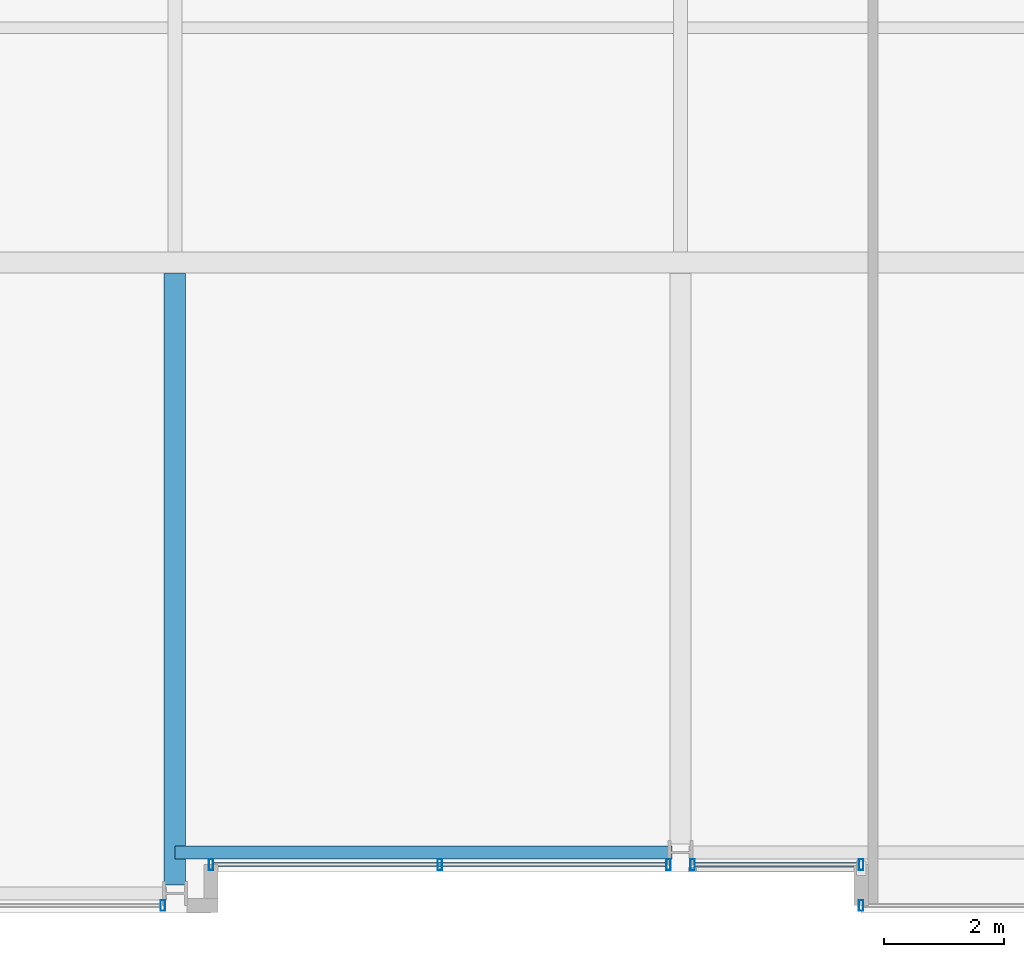
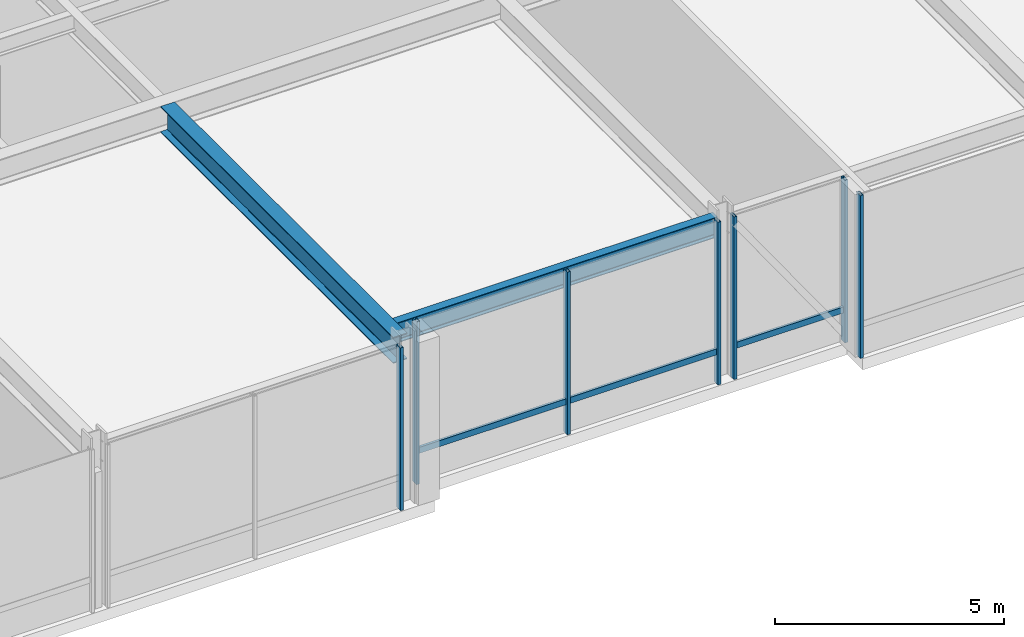
# One storey, part 5 of 32: 9 members, 2 beams, 4 elements without a shape of their own.
"""IFC4 building model written with IfcOpenShell, lengths in metres."""

import ifcopenshell
import ifcopenshell.guid

model = None  # the IFC model being written
_history = None  # IfcOwnerHistory: only IFC2X3 demands one
_inside = {}  # id of a spatial element -> (the spatial element, [elements in it])
_under = {}  # id of a project, library or spatial element -> (it, [spatial elements below it])
_declared = {}  # id of a project -> (the project, [libraries it declares])
_typed = {}  # id of a type object -> (the type object, [elements of that type])
_made_of = {}  # id of a material, layer set ... -> (it, [elements and type objects made of it])


def new_model(schema):
    """Start an empty IFC model of exactly this schema.

    Asked for "IFC4X3", IfcOpenShell would pick the latest addendum, in which some entities
    have other attributes; the version numbers below select the first issue.
    IFC2X3 requires an IfcOwnerHistory on every rooted entity: one is made here for all.
    """
    global model, _history
    if schema == "IFC4X3":
        model = ifcopenshell.file(schema_version=(4, 3, 0, 0))
    else:
        model = ifcopenshell.file(schema=schema)
    _inside.clear()
    _under.clear()
    _declared.clear()
    _typed.clear()
    _made_of.clear()
    _history = None
    if model.schema == "IFC2X3":
        org = make("IfcOrganization", Name="unknown")
        user = make(
            "IfcPersonAndOrganization",
            ThePerson=make("IfcPerson", FamilyName="unknown"),
            TheOrganization=org,
        )
        app = make(
            "IfcApplication",
            ApplicationDeveloper=org,
            Version="unknown",
            ApplicationFullName="unknown",
            ApplicationIdentifier="unknown",
        )
        _history = make(
            "IfcOwnerHistory",
            OwningUser=user,
            OwningApplication=app,
            ChangeAction="ADDED",
            CreationDate=0,
        )
    return model


def make(cls, **values):
    """One entity of the class cls with the attributes given. An attribute that is None is left unset."""
    return model.create_entity(
        cls, **{name: value for name, value in values.items() if value is not None}
    )


def rooted(cls, **values):
    """An entity with a GlobalId (a new one), such as an element, a storey or a relation."""
    return make(cls, GlobalId=ifcopenshell.guid.new(), OwnerHistory=_history, **values)


def si_unit(unit_type, name, prefix=None):
    """IfcSIUnit, for example si_unit("LENGTHUNIT", "METRE", prefix="MILLI")."""
    return make("IfcSIUnit", UnitType=unit_type, Prefix=prefix, Name=name)


def assignment(units):
    """IfcUnitAssignment: the units of a project."""
    return None if units is None else make("IfcUnitAssignment", Units=units)


def point(xyz):
    """IfcCartesianPoint."""
    return None if xyz is None else make("IfcCartesianPoint", Coordinates=xyz)


def direction(xyz):
    """IfcDirection."""
    return None if xyz is None else make("IfcDirection", DirectionRatios=xyz)


def frame(location, z_axis=None, x_axis=None):
    """IfcAxis2Placement3D, a coordinate frame: its origin and axes. An axis left out is left unset."""
    return make(
        "IfcAxis2Placement3D",
        Location=point(location),
        Axis=direction(z_axis),
        RefDirection=direction(x_axis),
    )


def frame_2d(location, x_axis=None):
    """IfcAxis2Placement2D, a coordinate frame in the plane: its origin and x axis."""
    return make(
        "IfcAxis2Placement2D", Location=point(location), RefDirection=direction(x_axis)
    )


def origin():
    """The frame at (0, 0, 0) with its axes left unset."""
    return frame((0.0, 0.0, 0.0))


def origin_2d():
    """The frame at (0, 0) in the plane with its x axis left unset."""
    return frame_2d((0.0, 0.0))


def place(relative_to, where):
    """IfcLocalPlacement: puts the frame where relative to a parent placement (None: the world)."""
    return make(
        "IfcLocalPlacement", PlacementRelTo=relative_to, RelativePlacement=where
    )


def context(
    kind, dimensions, precision=None, world=None, true_north=None, identifier=None
):
    """IfcGeometricRepresentationContext, for example the 3D "Model" context."""
    return make(
        "IfcGeometricRepresentationContext",
        ContextIdentifier=identifier,
        ContextType=kind,
        CoordinateSpaceDimension=dimensions,
        Precision=precision,
        WorldCoordinateSystem=world,
        TrueNorth=true_north,
    )


def subcontext(parent, identifier, kind, view, scale=None):
    """IfcGeometricRepresentationSubContext, for example "Body" below "Model"."""
    return make(
        "IfcGeometricRepresentationSubContext",
        ContextIdentifier=identifier,
        ContextType=kind,
        ParentContext=parent,
        TargetScale=scale,
        TargetView=view,
    )


def project(units=None, contexts=None):
    """IfcProject with its units and contexts."""
    return rooted(
        "IfcProject",
        Name="project",
        RepresentationContexts=contexts,
        UnitsInContext=assignment(units),
    )


def spatial(cls, under=None, at=None, **own):
    """A site, building, storey or space (cls), placed at a placement, below another one or the project."""
    s = rooted(cls, ObjectPlacement=at, **own)
    if under is not None:
        _under.setdefault(under.id(), (under, []))[1].append(s)
    return s


def profile(cls, at=None, kind="AREA", **sizes):
    """A parametric profile (cls). Its sizes go by their IFC names, for example OverallWidth=200.0."""
    return make(cls, ProfileType=kind, Position=at, **sizes)


def hollow_rectangle(**sizes):
    """IfcRectangleHollowProfileDef."""
    return profile("IfcRectangleHollowProfileDef", **sizes)


def i_section(**sizes):
    """IfcIShapeProfileDef."""
    return profile("IfcIShapeProfileDef", **sizes)


def extrude(swept, where, along, depth):
    """IfcExtrudedAreaSolid: the profile swept, set in the frame where, extruded along a direction by depth."""
    return make(
        "IfcExtrudedAreaSolid",
        SweptArea=swept,
        Position=where,
        ExtrudedDirection=direction(along),
        Depth=depth,
    )


def shape(context_of_items, identifier, shape_type, items):
    """IfcShapeRepresentation: the items that make up one representation, for example the "Body"."""
    return make(
        "IfcShapeRepresentation",
        ContextOfItems=context_of_items,
        RepresentationIdentifier=identifier,
        RepresentationType=shape_type,
        Items=items,
    )


def material(Name=None, Category=None):
    """IfcMaterial."""
    return make("IfcMaterial", Name=Name, Category=Category)


def layer(
    of_material, thickness, ventilated=None, Name=None, Category=None, Priority=None
):
    """IfcMaterialLayer: one layer of a wall or slab, of a material (None: an air gap)."""
    return make(
        "IfcMaterialLayer",
        Material=of_material,
        LayerThickness=thickness,
        IsVentilated=ventilated,
        Name=Name,
        Category=Category,
        Priority=Priority,
    )


def layer_set(layers, Name=None):
    """IfcMaterialLayerSet."""
    return make("IfcMaterialLayerSet", MaterialLayers=layers, LayerSetName=Name)


def material_profile(
    of_material, cross_section, Name=None, Category=None, Priority=None
):
    """IfcMaterialProfile: a cross section and its material."""
    return make(
        "IfcMaterialProfile",
        Name=Name,
        Material=of_material,
        Profile=cross_section,
        Priority=Priority,
        Category=Category,
    )


def profile_set(profiles, Name=None, composite=None):
    """IfcMaterialProfileSet."""
    return make(
        "IfcMaterialProfileSet",
        Name=Name,
        MaterialProfiles=profiles,
        CompositeProfile=composite,
    )


def made_of(thing, what):
    """Note that an element or type object is made of a material, layer set ...; save() writes the relation."""
    if what is not None:
        _made_of.setdefault(what.id(), (what, []))[1].append(thing)
    return thing


def type_object(cls, material=None, **own):
    """A type object (cls), such as IfcWallType, which elements share."""
    return made_of(rooted(cls, **own), material)


def element(
    cls,
    number,
    at=None,
    inside=None,
    cuts=None,
    type_object=None,
    material=None,
    context=None,
    identifier="Body",
    shape_type=None,
    held_by="IfcProductDefinitionShape",
    body=None,
    shapes=None,
    **own,
):
    """One element of the class cls, such as IfcWall. Its Tag is "e" and its number.

    at: its placement. inside: the storey or other place that contains it. cuts: it is an
    opening in that element (IfcRelVoidsElement). A single representation is given by context,
    identifier, shape_type and body (its items); several are given by shapes. held_by: the class
    of the entity that holds the representations. save() writes the other relations.
    """
    e = rooted(cls, Tag="e%d" % number, ObjectPlacement=at, **own)
    if body is not None:
        shapes = [shape(context, identifier, shape_type, body)]
    if shapes is not None:
        e.Representation = make(held_by, Representations=shapes)
    if inside is not None:
        _inside.setdefault(inside.id(), (inside, []))[1].append(e)
    if cuts is not None:
        rooted(
            "IfcRelVoidsElement", RelatingBuildingElement=cuts, RelatedOpeningElement=e
        )
    if type_object is not None:
        _typed.setdefault(type_object.id(), (type_object, []))[1].append(e)
    return made_of(e, material)


def aggregate(whole, parts):
    """IfcRelAggregates: a whole, such as a stair, and the parts it consists of."""
    return rooted("IfcRelAggregates", RelatingObject=whole, RelatedObjects=parts)


def save(model, path):
    """Write the relations noted so far, then the file.

    IfcRelAggregates (storeys below a building ...), IfcRelContainedInSpatialStructure (elements
    in a storey), IfcRelDefinesByType, IfcRelAssociatesMaterial and IfcRelDeclares: one each for
    every whole, place, type object, material and project.
    """
    for whole, parts in _under.values():
        aggregate(whole, parts)
    for where, things in _inside.values():
        rooted(
            "IfcRelContainedInSpatialStructure",
            RelatedElements=things,
            RelatingStructure=where,
        )
    for kind, things in _typed.values():
        rooted("IfcRelDefinesByType", RelatedObjects=things, RelatingType=kind)
    for what, things in _made_of.values():
        rooted("IfcRelAssociatesMaterial", RelatedObjects=things, RelatingMaterial=what)
    for by, libraries in _declared.values():
        rooted("IfcRelDeclares", RelatingContext=by, RelatedDefinitions=libraries)
    model.write(path)


model = new_model("IFC4")

# Units and contexts
model_context = context("Model", 3, precision=1e-05, world=origin(), true_north=direction((0.0, 1.0)))
body_context = subcontext(model_context, "Body", "Model", "MODEL_VIEW")
ifc_project = project(units=[si_unit("LENGTHUNIT", "METRE"), si_unit("AREAUNIT", "SQUARE_METRE"), si_unit("VOLUMEUNIT", "CUBIC_METRE"), si_unit("PLANEANGLEUNIT", "RADIAN"), si_unit("MASSUNIT", "GRAM", prefix="KILO")], contexts=[model_context])

# Site, building, storey
site_placement = place(None, origin())
site = spatial("IfcSite", under=ifc_project, at=site_placement, CompositionType="ELEMENT")
building_placement = place(site_placement, origin())
building = spatial("IfcBuilding", under=site, at=building_placement, Name="Drelvath Grand Hotel", CompositionType="ELEMENT")
storey_placement = place(building_placement, frame((0.0, 0.0, 145.800048828125)))
storey = spatial("IfcBuildingStorey", under=building, at=storey_placement, Name="L37", CompositionType="ELEMENT", Elevation=145.800048828125)

# Curtain wall, member
ifc_material_1 = material(Name="Brushed Pale-Silver Anodised Aluminium Frame", Category="aluminium")
ifc_layer = layer(ifc_material_1, 0.199951171875)
ifc_layer_set = layer_set([ifc_layer], Name="Brushed Pale-Silver Anodised Aluminium Frame")
curtain_wall_type = type_object("IfcCurtainWallType", Name="Stick Curtain Wall CW-04 Brushed Silver Upper-Mid", PredefinedType="NOTDEFINED", material=ifc_layer_set)
curtain_wall_1_placement = place(storey_placement, origin())
curtain_wall_1 = element("IfcCurtainWall", 1, at=curtain_wall_1_placement, inside=storey, type_object=curtain_wall_type, Name="L37 CW-04 Curtain Wall CW04-L37-SM1", PredefinedType="NOTDEFINED")
ifc_material_profile_1 = material_profile(ifc_material_1, hollow_rectangle(XDim=0.06494140625, YDim=0.159912109375, WallThickness=0.00390625, at=origin_2d()), Name="HSS160X65X4")
ifc_profile_set_1 = profile_set([ifc_material_profile_1], Name="Brushed Pale-Silver Anodised Aluminium Frame")
member_type_1 = type_object("IfcMemberType", Name="Curtain Wall Horizontal Transom CW-04 HSS160X65X4", PredefinedType="USERDEFINED", material=ifc_profile_set_1)
member_1_placement = place(storey_placement, frame((-0.239990234375, 0.800048828125, 0.849853515625), z_axis=(-1.0, 0.0, 0.0), x_axis=(0.0, -1.0, 0.0)))
member_1 = element("IfcMember", 2, at=member_1_placement, type_object=member_type_1, Name="CW04-L37-SM1 Sill Transom", ObjectType="TRANSOM", PredefinedType="USERDEFINED", context=body_context, shape_type="SweptSolid", body=[
    extrude(hollow_rectangle(XDim=0.06494140625, YDim=0.159912109375, WallThickness=0.00390625, at=origin_2d()), origin(), (0.0, 0.0, 1.0), 7.52001953125),
])

curtain_wall_2_placement = place(storey_placement, origin())
curtain_wall_2 = element("IfcCurtainWall", 3, at=curtain_wall_2_placement, inside=storey, type_object=curtain_wall_type, Name="L37 CW-04 Curtain Wall CW04-L37-SM2", PredefinedType="NOTDEFINED")
member_2_placement = place(storey_placement, frame((2.9599609375, 0.800048828125, 0.849853515625), z_axis=(-1.0, 0.0, 0.0), x_axis=(0.0, -1.0, 0.0)))
member_2 = element("IfcMember", 4, at=member_2_placement, type_object=member_type_1, Name="CW04-L37-SM2 Sill Transom", ObjectType="TRANSOM", PredefinedType="USERDEFINED", context=body_context, shape_type="SweptSolid", body=[
    extrude(hollow_rectangle(XDim=0.06494140625, YDim=0.159912109375, WallThickness=0.00390625, at=origin_2d()), origin(), (0.0, 0.0, 1.0), 2.719970703125),
])

curtain_wall_3_placement = place(storey_placement, origin())
curtain_wall_3 = element("IfcCurtainWall", 5, at=curtain_wall_3_placement, inside=storey, type_object=curtain_wall_type, Name="L37 CW-04 Curtain Wall CW04-L37-SE1", PredefinedType="NOTDEFINED")
ifc_material_profile_2 = material_profile(ifc_material_1, hollow_rectangle(XDim=0.074951171875, YDim=0.179931640625, WallThickness=0.0048828125, at=origin_2d()), Name="HSS180X75X5")
ifc_profile_set_2 = profile_set([ifc_material_profile_2], Name="Brushed Pale-Silver Anodised Aluminium Frame")
member_type_2 = type_object("IfcMemberType", Name="Curtain Wall Vertical Mullion CW-04 HSS180X75X5", PredefinedType="MULLION", material=ifc_profile_set_2)
member_3_placement = place(storey_placement, frame((3.0, 0.1201171875, 0.0), z_axis=(0.0, 0.0, 1.0), x_axis=(1.0, 0.0, 0.0)))
member_3 = element("IfcMember", 6, at=member_3_placement, type_object=member_type_2, Name="CW04-L37-SE1 Mullion 2", PredefinedType="MULLION", context=body_context, shape_type="SweptSolid", body=[
    extrude(hollow_rectangle(XDim=0.074951171875, YDim=0.179931640625, WallThickness=0.0048828125, at=origin_2d()), origin(), (0.0, 0.0, 1.0), 4.33984375),
])
aggregate(curtain_wall_3, [member_3])

# Member
member_4_placement = place(storey_placement, frame((-0.2001953125, 0.800048828125, 0.0), z_axis=(0.0, 0.0, 1.0), x_axis=(1.0, 0.0, 0.0)))
member_4 = element("IfcMember", 7, at=member_4_placement, type_object=member_type_2, Name="CW04-L37-SM1 Mullion 1", PredefinedType="MULLION", context=body_context, shape_type="SweptSolid", body=[
    extrude(hollow_rectangle(XDim=0.074951171875, YDim=0.179931640625, WallThickness=0.0048828125, at=origin_2d()), origin(), (0.0, 0.0, 1.0), 4.33984375),
])

member_5_placement = place(storey_placement, frame((-4.0, 0.800048828125, 0.0), z_axis=(0.0, 0.0, 1.0), x_axis=(1.0, 0.0, 0.0)))
member_5 = element("IfcMember", 8, at=member_5_placement, type_object=member_type_2, Name="CW04-L37-SM1 Mullion 2", PredefinedType="MULLION", context=body_context, shape_type="SweptSolid", body=[
    extrude(hollow_rectangle(XDim=0.074951171875, YDim=0.179931640625, WallThickness=0.0048828125, at=origin_2d()), origin(), (0.0, 0.0, 1.0), 4.33984375),
])

member_6_placement = place(storey_placement, frame((-7.800048828125, 0.800048828125, 0.0), z_axis=(0.0, 0.0, 1.0), x_axis=(1.0, 0.0, 0.0)))
member_6 = element("IfcMember", 9, at=member_6_placement, type_object=member_type_2, Name="CW04-L37-SM1 Mullion 3", PredefinedType="MULLION", context=body_context, shape_type="SweptSolid", body=[
    extrude(hollow_rectangle(XDim=0.074951171875, YDim=0.179931640625, WallThickness=0.0048828125, at=origin_2d()), origin(), (0.0, 0.0, 1.0), 4.33984375),
])

aggregate(curtain_wall_1, [member_4, member_5, member_6, member_1])

member_7_placement = place(storey_placement, frame((3.0, 0.800048828125, 0.0), z_axis=(0.0, 0.0, 1.0), x_axis=(1.0, 0.0, 0.0)))
member_7 = element("IfcMember", 10, at=member_7_placement, type_object=member_type_2, Name="CW04-L37-SM2 Mullion 1", PredefinedType="MULLION", context=body_context, shape_type="SweptSolid", body=[
    extrude(hollow_rectangle(XDim=0.074951171875, YDim=0.179931640625, WallThickness=0.0048828125, at=origin_2d()), origin(), (0.0, 0.0, 1.0), 4.33984375),
])

member_8_placement = place(storey_placement, frame((0.2001953125, 0.800048828125, 0.0), z_axis=(0.0, 0.0, 1.0), x_axis=(1.0, 0.0, 0.0)))
member_8 = element("IfcMember", 11, at=member_8_placement, type_object=member_type_2, Name="CW04-L37-SM2 Mullion 2", PredefinedType="MULLION", context=body_context, shape_type="SweptSolid", body=[
    extrude(hollow_rectangle(XDim=0.074951171875, YDim=0.179931640625, WallThickness=0.0048828125, at=origin_2d()), origin(), (0.0, 0.0, 1.0), 4.33984375),
])

aggregate(curtain_wall_2, [member_7, member_8, member_2])

# Curtain wall, member
curtain_wall_4_placement = place(storey_placement, origin())
curtain_wall_4 = element("IfcCurtainWall", 12, at=curtain_wall_4_placement, inside=storey, type_object=curtain_wall_type, Name="L37 CW-04 Curtain Wall CW04-L37-SW2", PredefinedType="NOTDEFINED")
member_9_placement = place(storey_placement, frame((-8.60009765625, 0.1201171875, 0.0), z_axis=(0.0, 0.0, 1.0), x_axis=(1.0, 0.0, 0.0)))
member_9 = element("IfcMember", 13, at=member_9_placement, type_object=member_type_2, Name="CW04-L37-SW2 Mullion 1", PredefinedType="MULLION", context=body_context, shape_type="SweptSolid", body=[
    extrude(hollow_rectangle(XDim=0.074951171875, YDim=0.179931640625, WallThickness=0.0048828125, at=origin_2d()), origin(), (0.0, 0.0, 1.0), 4.33984375),
])
aggregate(curtain_wall_4, [member_9])

# Beams
ifc_material_2 = material(Name="Steel ASTM A992 Gr 50", Category="steel")
ifc_material_profile_3 = material_profile(ifc_material_2, i_section(OverallWidth=0.210205078125, OverallDepth=0.53662109375, WebThickness=0.010986328125, FlangeThickness=0.017333984375, FilletRadius=0.01806640625, at=origin_2d()), Name="W21X68")
ifc_profile_set_3 = profile_set([ifc_material_profile_3], Name="Steel ASTM A992 Gr 50")
beam_type_1 = type_object("IfcBeamType", Name="Perimeter Spandrel Beam W21X68", PredefinedType="SPANDREL", material=ifc_profile_set_3)
beam_1_placement = place(storey_placement, frame((-8.39990234375, 1.0, 4.071533203125), z_axis=(1.0, 0.0, 0.0), x_axis=(0.0, 1.0, 0.0)))
element("IfcBeam", 14, at=beam_1_placement, inside=storey, type_object=beam_type_1, Name="L37 Spandrel South Mid W", PredefinedType="SPANDREL", context=body_context, shape_type="SweptSolid", body=[
    extrude(i_section(OverallWidth=0.210205078125, OverallDepth=0.53662109375, WebThickness=0.010986328125, FlangeThickness=0.017333984375, FilletRadius=0.01806640625, at=origin_2d()), origin(), (0.0, 0.0, 1.0), 8.260009765625),
])
ifc_material_profile_4 = material_profile(ifc_material_2, i_section(OverallWidth=0.354736328125, OverallDepth=0.695556640625, WebThickness=0.015380859375, FlangeThickness=0.025146484375, FilletRadius=0.02392578125, at=origin_2d()), Name="W27X146")
ifc_profile_set_4 = profile_set([ifc_material_profile_4], Name="Steel ASTM A992 Gr 50")
beam_type_2 = type_object("IfcBeamType", Name="Primary Floor Girder W27X146", PredefinedType="BEAM", material=ifc_profile_set_4)
beam_2_placement = place(storey_placement, frame((-8.39990234375, 0.4599609375, 3.9921875), z_axis=(0.0, 1.0, 0.0), x_axis=(-1.0, 0.0, 0.0)))
element("IfcBeam", 15, at=beam_2_placement, inside=storey, type_object=beam_type_2, Name="L37 South Wing Girder 4", PredefinedType="BEAM", context=body_context, shape_type="SweptSolid", body=[
    extrude(i_section(OverallWidth=0.354736328125, OverallDepth=0.695556640625, WebThickness=0.015380859375, FlangeThickness=0.025146484375, FilletRadius=0.02392578125, at=origin_2d()), origin(), (0.0, 0.0, 1.0), 10.16259765625),
])

save(model, "model.ifc")
